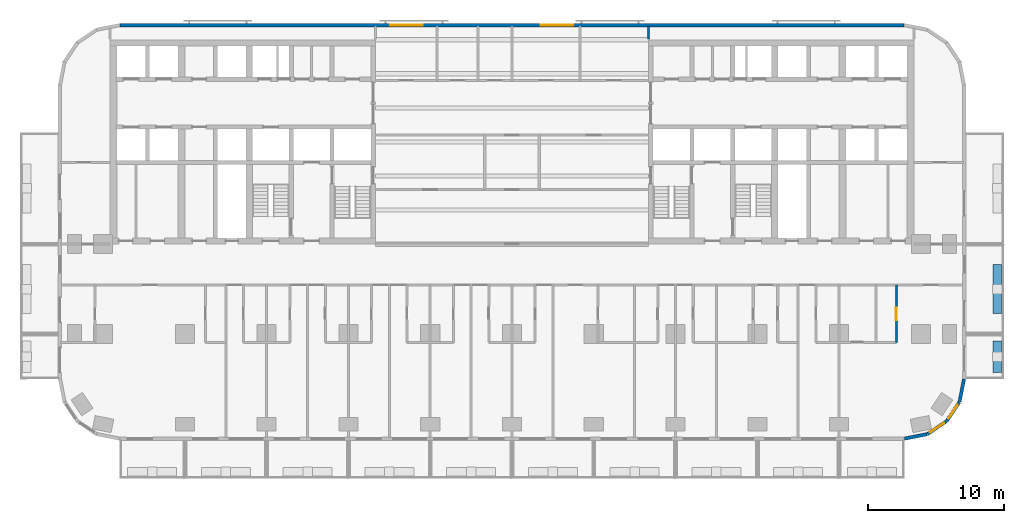
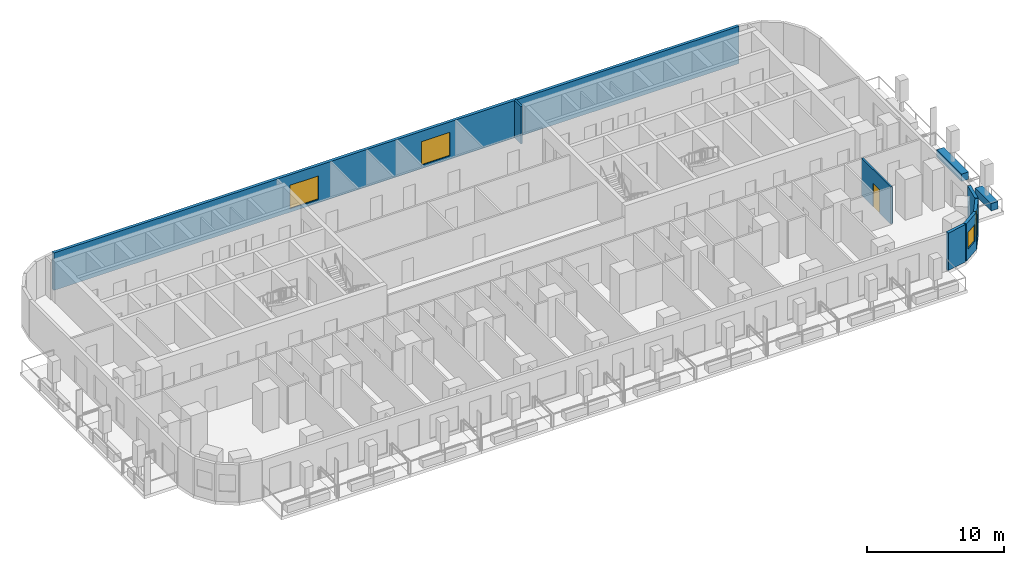
# One storey, part 8 of 14: 9 walls, 4 windows, 1 door, 5 openings.
"""IFC4 building model written with IfcOpenShell, lengths in metres."""

from ifc_helpers import new_model, si_unit, direction, frame, frame_2d, origin, place, context, subcontext, project, spatial, rectangle, extrude, material, layer, layer_set, type_object, element, fill, save


model = new_model("IFC4")

# Units and contexts
model_context = context("Model", 3, precision=1e-05, world=origin(), true_north=direction((0.0, 1.0)))
body_context = subcontext(model_context, "Body", "Model", "MODEL_VIEW")
ifc_project = project(units=[si_unit("LENGTHUNIT", "METRE"), si_unit("AREAUNIT", "SQUARE_METRE"), si_unit("VOLUMEUNIT", "CUBIC_METRE"), si_unit("PLANEANGLEUNIT", "RADIAN"), si_unit("MASSUNIT", "GRAM", prefix="KILO")], contexts=[model_context])

# Site, building, storey
site_placement = place(None, origin())
site = spatial("IfcSite", under=ifc_project, at=site_placement, CompositionType="ELEMENT")
building_placement = place(site_placement, origin())
building = spatial("IfcBuilding", under=site, at=building_placement, Name="Torana Hotel and Residences", CompositionType="ELEMENT")
storey_placement = place(building_placement, frame((0.0, 0.0, 34.800048828125)))
storey = spatial("IfcBuildingStorey", under=building, at=storey_placement, Name="L07", CompositionType="ELEMENT", Elevation=34.800048828125)

# Wall
ifc_material_1 = material(Name="Black aluminium composite panel", Category="aluminium")
ifc_layer_1 = layer(ifc_material_1, 0.00390625, Name="Cladding", Category="cladding")
ifc_material_2 = material(Name="Ventilated air cavity")
ifc_layer_2 = layer(ifc_material_2, 0.0400390625, Name="Ventilated cavity", Category="cavity")
ifc_material_3 = material(Name="Mineral wool insulation")
ifc_layer_3 = layer(ifc_material_3, 0.090087890625, Name="Insulation", Category="insulation")
ifc_material_4 = material(Name="Steel S280GD", Category="steel")
ifc_layer_4 = layer(ifc_material_4, 0.092041015625, Name="Steel stud frame", Category="structure")
ifc_material_5 = material(Name="Fire rated plasterboard")
ifc_layer_5 = layer(ifc_material_5, 0.011962890625, Name="Inner board", Category="finish")
ifc_layer_6 = layer(ifc_material_5, 0.011962890625, Name="Second board", Category="finish")
ifc_layer_set_1 = layer_set([ifc_layer_1, ifc_layer_2, ifc_layer_3, ifc_layer_4, ifc_layer_5, ifc_layer_6], Name="EW1 EXTERNAL WALL BLACK METAL CLAD 250")
wall_type_1 = type_object("IfcWallType", Name="EW1 EXTERNAL WALL BLACK METAL CLAD 250", PredefinedType="SOLIDWALL", material=ifc_layer_set_1)
wall_1_placement = place(storey_placement, frame((28.7998046875, -29.272705078125, 0.0), z_axis=(0.0, 0.0, 1.0), x_axis=(0.980775640221, 0.19513878023, 0.0)))
element("IfcWall", 1, at=wall_1_placement, inside=storey, type_object=wall_type_1, Name="External wall L07 e0.15", PredefinedType="SOLIDWALL", context=body_context, shape_type="SweptSolid", body=[
    extrude(rectangle(XDim=1.681396484375, YDim=0.25, at=frame_2d((0.8408203125, 0.0))), origin(), (0.0, 0.0, 1.0), 3.320068359375),
])

# Wall, opening, window
wall_2_placement = place(storey_placement, frame((30.493896484375, -28.92578125, 0.0), z_axis=(0.0, 0.0, 1.0), x_axis=(0.831482937015, 0.55555029066, 0.0)))
wall_2 = element("IfcWall", 2, at=wall_2_placement, inside=storey, type_object=wall_type_1, Name="External wall L07 e0.16", PredefinedType="SOLIDWALL", context=body_context, shape_type="SweptSolid", body=[
    extrude(rectangle(XDim=1.65625, YDim=0.25, at=frame_2d((0.828125, 0.0))), origin(), (0.0, 0.0, 1.0), 3.320068359375),
])
opening_1_placement = place(wall_2_placement, frame((0.228271484375, 0.0, 0.89990234375)))
opening_1 = element("IfcOpeningElement", 3, at=opening_1_placement, cuts=wall_2, Name="Opening W5", PredefinedType="OPENING", context=body_context, shape_type="SweptSolid", body=[
    extrude(rectangle(XDim=1.199951171875, YDim=1.5, at=frame_2d((0.60009765625, 0.75))), frame((0.0, 0.135009765625, 0.0), z_axis=(0.0, -1.0, 0.0), x_axis=(1.0, 0.0, 0.0)), (0.0, 0.0, 1.0), 0.27001953125),
])
ifc_material_6 = material(Name="Dark glass in black aluminium frame", Category="aluminium")
window_type_1 = type_object("IfcWindowType", Name="W5 CORNER FACET WINDOW 1200x1500", PartitioningType="SINGLE_PANEL", PredefinedType="WINDOW", material=ifc_material_6)
window_1_placement = place(opening_1_placement, origin())
window_1 = element("IfcWindow", 4, at=window_1_placement, inside=storey, type_object=window_type_1, Name="Window L07 e0.16", OverallHeight=1.5, OverallWidth=1.199951171875, PartitioningType="SINGLE_PANEL", PredefinedType="WINDOW", context=body_context, shape_type="SweptSolid", body=[
    extrude(rectangle(XDim=1.199951171875, YDim=1.5, at=frame_2d((0.60009765625, 0.75))), frame((0.0, 0.030029296875, 0.0), z_axis=(0.0, -1.0, 0.0), x_axis=(1.0, 0.0, 0.0)), (0.0, 0.0, 1.0), 0.06005859375),
])
fill(opening_1, window_1)

wall_3_placement = place(storey_placement, frame((31.90576171875, -27.97119140625, 0.0), z_axis=(0.0, 0.0, 1.0), x_axis=(0.55555029066, 0.831482937015, 0.0)))
wall_3 = element("IfcWall", 5, at=wall_3_placement, inside=storey, type_object=wall_type_1, Name="External wall L07 e0.17", PredefinedType="SOLIDWALL", context=body_context, shape_type="SweptSolid", body=[
    extrude(rectangle(XDim=1.65625, YDim=0.25, at=frame_2d((0.828125, 0.0))), origin(), (0.0, 0.0, 1.0), 3.320068359375),
])
opening_2_placement = place(wall_3_placement, frame((0.228271484375, 0.0, 0.89990234375)))
opening_2 = element("IfcOpeningElement", 6, at=opening_2_placement, cuts=wall_3, Name="Opening W5", PredefinedType="OPENING", context=body_context, shape_type="SweptSolid", body=[
    extrude(rectangle(XDim=1.199951171875, YDim=1.5, at=frame_2d((0.60009765625, 0.75))), frame((0.0, 0.135009765625, 0.0), z_axis=(0.0, -1.0, 0.0), x_axis=(1.0, 0.0, 0.0)), (0.0, 0.0, 1.0), 0.27001953125),
])
window_2_placement = place(opening_2_placement, origin())
window_2 = element("IfcWindow", 7, at=window_2_placement, inside=storey, type_object=window_type_1, Name="Window L07 e0.17", OverallHeight=1.5, OverallWidth=1.199951171875, PartitioningType="SINGLE_PANEL", PredefinedType="WINDOW", context=body_context, shape_type="SweptSolid", body=[
    extrude(rectangle(XDim=1.199951171875, YDim=1.5, at=frame_2d((0.60009765625, 0.75))), frame((0.0, 0.030029296875, 0.0), z_axis=(0.0, -1.0, 0.0), x_axis=(1.0, 0.0, 0.0)), (0.0, 0.0, 1.0), 0.06005859375),
])
fill(opening_2, window_2)

# Wall
wall_4_placement = place(storey_placement, frame((32.844482421875, -26.548828125, 0.0), z_axis=(0.0, 0.0, 1.0), x_axis=(0.195166572128, 0.980770110232, 0.0)))
element("IfcWall", 8, at=wall_4_placement, inside=storey, type_object=wall_type_1, Name="External wall L07 e0.18", PredefinedType="SOLIDWALL", context=body_context, shape_type="SweptSolid", body=[
    extrude(rectangle(XDim=1.68115234375, YDim=0.25, at=frame_2d((0.840576171875, 0.0))), origin(), (0.0, 0.0, 1.0), 3.320068359375),
])

# Wall, openings, windows
ifc_material_7 = material(Name="Concrete C40/50 precast", Category="concrete")
ifc_layer_7 = layer(ifc_material_7, 0.10009765625, Name="Perforated block", Category="cladding")
ifc_material_8 = material(Name="Air cavity")
ifc_layer_8 = layer(ifc_material_8, 0.030029296875, Name="Cavity", Category="cavity")
ifc_material_9 = material(Name="Concrete C40/50", Category="concrete")
ifc_layer_9 = layer(ifc_material_9, 0.10009765625, Name="Wall", Category="structure")
ifc_material_10 = material(Name="Plaster and paint")
ifc_layer_10 = layer(ifc_material_10, 0.02001953125, Name="Inner finish", Category="finish")
ifc_layer_set_2 = layer_set([ifc_layer_7, ifc_layer_8, ifc_layer_9, ifc_layer_10], Name="EW2 PERFORATED BLOCK SCREEN WALL 250")
wall_type_2 = type_object("IfcWallType", Name="EW2 PERFORATED BLOCK SCREEN WALL 250", PredefinedType="SOLIDWALL", material=ifc_layer_set_2)
wall_5_placement = place(storey_placement, frame((28.775390625, 1.074951171875, 0.0), z_axis=(0.0, 0.0, 1.0), x_axis=(-1.0, 0.0, 0.0)))
wall_5 = element("IfcWall", 9, at=wall_5_placement, inside=storey, type_object=wall_type_2, Name="External wall L07 e0.4", PredefinedType="SOLIDWALL", context=body_context, shape_type="SweptSolid", body=[
    extrude(rectangle(XDim=57.55078125, YDim=0.25, at=frame_2d((28.775390625, 0.0))), origin(), (0.0, 0.0, 1.0), 3.320068359375),
])
opening_3_placement = place(wall_5_placement, frame((24.275390625, 0.0, 0.300048828125)))
opening_3 = element("IfcOpeningElement", 10, at=opening_3_placement, cuts=wall_5, Name="Opening W1", PredefinedType="OPENING", context=body_context, shape_type="SweptSolid", body=[
    extrude(rectangle(XDim=2.39990234375, YDim=2.10009765625, at=frame_2d((1.199951171875, 1.050048828125))), frame((0.0, 0.135009765625, 0.0), z_axis=(0.0, -1.0, 0.0), x_axis=(1.0, 0.0, 0.0)), (0.0, 0.0, 1.0), 0.27001953125),
])
opening_4_placement = place(wall_5_placement, frame((35.325439453125, 0.0, 0.300048828125)))
opening_4 = element("IfcOpeningElement", 11, at=opening_4_placement, cuts=wall_5, Name="Opening W1", PredefinedType="OPENING", context=body_context, shape_type="SweptSolid", body=[
    extrude(rectangle(XDim=2.39990234375, YDim=2.10009765625, at=frame_2d((1.199951171875, 1.050048828125))), frame((0.0, 0.135009765625, 0.0), z_axis=(0.0, -1.0, 0.0), x_axis=(1.0, 0.0, 0.0)), (0.0, 0.0, 1.0), 0.27001953125),
])
ifc_material_11 = material(Name="Dark glass in black aluminium frame", Category="aluminium")
window_type_2 = type_object("IfcWindowType", Name="W1 HOTEL ROOM WINDOW 2400x2100", PartitioningType="SINGLE_PANEL", PredefinedType="WINDOW", material=ifc_material_11)
window_3_placement = place(opening_3_placement, origin())
window_3 = element("IfcWindow", 12, at=window_3_placement, inside=storey, type_object=window_type_2, Name="Window L07", OverallHeight=2.10009765625, OverallWidth=2.39990234375, PartitioningType="SINGLE_PANEL", PredefinedType="WINDOW", context=body_context, shape_type="SweptSolid", body=[
    extrude(rectangle(XDim=2.39990234375, YDim=2.10009765625, at=frame_2d((1.199951171875, 1.050048828125))), frame((0.0, 0.030029296875, 0.0), z_axis=(0.0, -1.0, 0.0), x_axis=(1.0, 0.0, 0.0)), (0.0, 0.0, 1.0), 0.06005859375),
])
fill(opening_3, window_3)
window_4_placement = place(opening_4_placement, origin())
window_4 = element("IfcWindow", 13, at=window_4_placement, inside=storey, type_object=window_type_2, Name="Window L07", OverallHeight=2.10009765625, OverallWidth=2.39990234375, PartitioningType="SINGLE_PANEL", PredefinedType="WINDOW", context=body_context, shape_type="SweptSolid", body=[
    extrude(rectangle(XDim=2.39990234375, YDim=2.10009765625, at=frame_2d((1.199951171875, 1.050048828125))), frame((0.0, 0.030029296875, 0.0), z_axis=(0.0, -1.0, 0.0), x_axis=(1.0, 0.0, 0.0)), (0.0, 0.0, 1.0), 0.06005859375),
])
fill(opening_4, window_4)

# Wall, opening, door
ifc_material_12 = material(Name="Gypsum plasterboard")
ifc_layer_11 = layer(ifc_material_12, 0.012451171875, Name="Plasterboard", Category="finish")
ifc_layer_12 = layer(ifc_material_12, 0.012451171875, Name="Plasterboard", Category="finish")
ifc_layer_13 = layer(ifc_material_4, 0.10009765625, Name="Steel studs with mineral wool", Category="insulation")
ifc_layer_14 = layer(ifc_material_12, 0.012451171875, Name="Plasterboard", Category="finish")
ifc_layer_15 = layer(ifc_material_12, 0.012451171875, Name="Plasterboard", Category="finish")
ifc_layer_set_3 = layer_set([ifc_layer_11, ifc_layer_12, ifc_layer_13, ifc_layer_14, ifc_layer_15], Name="PARTITION 150 PLASTERBOARD")
wall_type_3 = type_object("IfcWallType", Name="PARTITION 150 PLASTERBOARD", PredefinedType="PARTITIONING", material=ifc_layer_set_3)
wall_6_placement = place(storey_placement, frame((28.199951171875, -22.199951171875, 0.0), z_axis=(0.0, 0.0, 1.0), x_axis=(0.0, 1.0, 0.0)))
wall_6 = element("IfcWall", 14, at=wall_6_placement, inside=storey, type_object=wall_type_3, Name="Partition L07", PredefinedType="PARTITIONING", context=body_context, shape_type="SweptSolid", body=[
    extrude(rectangle(XDim=4.199951171875, YDim=0.14990234375, at=frame_2d((2.10009765625, 0.0))), origin(), (0.0, 0.0, 1.0), 3.320068359375),
])
opening_5_placement = place(wall_6_placement, frame((1.6298828125, 0.0, 0.0)))
opening_5 = element("IfcOpeningElement", 15, at=opening_5_placement, cuts=wall_6, Name="Opening L07-81", PredefinedType="OPENING", context=body_context, shape_type="SweptSolid", body=[
    extrude(rectangle(XDim=0.89990234375, YDim=2.10009765625, at=frame_2d((0.449951171875, 1.050048828125))), frame((0.0, 0.0849609375, 0.0), z_axis=(0.0, -1.0, 0.0), x_axis=(1.0, 0.0, 0.0)), (0.0, 0.0, 1.0), 0.169921875),
])
ifc_material_13 = material(Name="Timber door, oiled ash", Category="wood")
door_type = type_object("IfcDoorType", Name="ROOM DOOR D7 900x2100", OperationType="SINGLE_SWING_LEFT", PredefinedType="DOOR", material=ifc_material_13)
door_placement = place(opening_5_placement, origin())
door = element("IfcDoor", 16, at=door_placement, inside=storey, type_object=door_type, Name="Door L07", OperationType="SINGLE_SWING_RIGHT", OverallHeight=2.10009765625, OverallWidth=0.89990234375, PredefinedType="DOOR", context=body_context, shape_type="SweptSolid", body=[
    extrude(rectangle(XDim=0.89990234375, YDim=2.10009765625, at=frame_2d((0.449951171875, 1.050048828125))), frame((0.0, 0.02490234375, 0.0), z_axis=(0.0, -1.0, 0.0), x_axis=(1.0, 0.0, 0.0)), (0.0, 0.0, 1.0), 0.050048828125),
])
fill(opening_5, door)

# Walls
wall_7_placement = place(storey_placement, frame((10.0, 0.050048828125, 0.0), z_axis=(0.0, 0.0, 1.0), x_axis=(0.0, 1.0, 0.0)))
element("IfcWall", 17, at=wall_7_placement, inside=storey, type_object=wall_type_3, Name="Partition L07", PredefinedType="PARTITIONING", context=body_context, shape_type="SweptSolid", body=[
    extrude(rectangle(XDim=0.969970703125, YDim=0.14990234375, at=frame_2d((0.48486328125, 0.0))), origin(), (0.0, 0.0, 1.0), 3.320068359375),
])
ifc_layer_16 = layer(ifc_material_7, 0.10009765625, Name="Planter shell", Category="structure")
ifc_material_14 = material(Name="Root resistant membrane")
ifc_layer_17 = layer(ifc_material_14, 0.00390625, Name="Waterproofing membrane", Category="membrane")
ifc_material_15 = material(Name="Drainage board with filter fleece")
ifc_layer_18 = layer(ifc_material_15, 0.02001953125, Name="Drainage board", Category="drainage")
ifc_material_16 = material(Name="Growing medium")
ifc_layer_19 = layer(ifc_material_16, 0.47607421875, Name="Planting substrate", Category="soil")
ifc_layer_set_4 = layer_set([ifc_layer_16, ifc_layer_17, ifc_layer_18, ifc_layer_19], Name="PL1 BALCONY PLANTER 600")
wall_type_4 = type_object("IfcWallType", Name="PL1 BALCONY PLANTER 600", PredefinedType="USERDEFINED", material=ifc_layer_set_4)
wall_8_placement = place(storey_placement, frame((35.60009765625, -22.10009765625, 0.0), z_axis=(0.0, 0.0, 1.0), x_axis=(0.0, -1.0, 0.0)))
element("IfcWall", 18, at=wall_8_placement, inside=storey, type_object=wall_type_4, Name="Planter 14", ObjectType="PLANTER", PredefinedType="USERDEFINED", context=body_context, shape_type="SweptSolid", body=[
    extrude(rectangle(XDim=2.2998046875, YDim=0.60009765625, at=frame_2d((1.14990234375, 0.0))), origin(), (0.0, 0.0, 1.0), 0.64990234375),
])
wall_9_placement = place(storey_placement, frame((35.60009765625, -16.5, 0.0), z_axis=(0.0, 0.0, 1.0), x_axis=(0.0, -1.0, 0.0)))
element("IfcWall", 19, at=wall_9_placement, inside=storey, type_object=wall_type_4, Name="Planter 15", ObjectType="PLANTER", PredefinedType="USERDEFINED", context=body_context, shape_type="SweptSolid", body=[
    extrude(rectangle(XDim=3.60009765625, YDim=0.60009765625, at=frame_2d((1.800048828125, 0.0))), origin(), (0.0, 0.0, 1.0), 0.64990234375),
])

save(model, "model.ifc")
